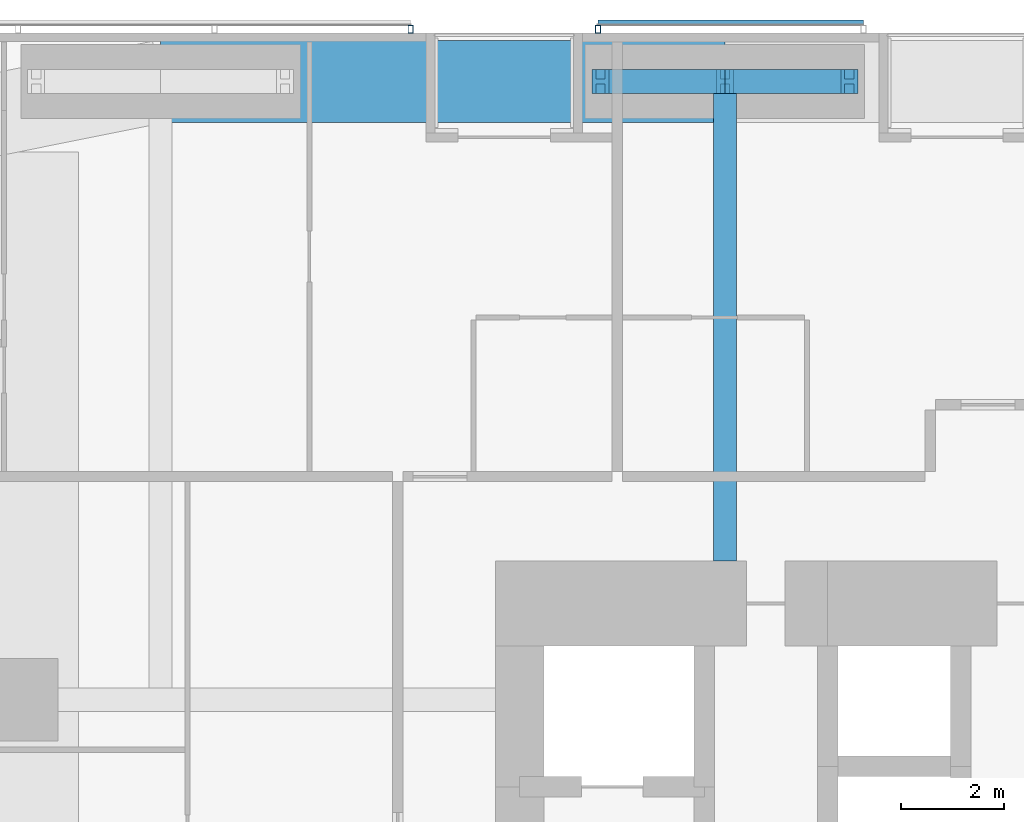
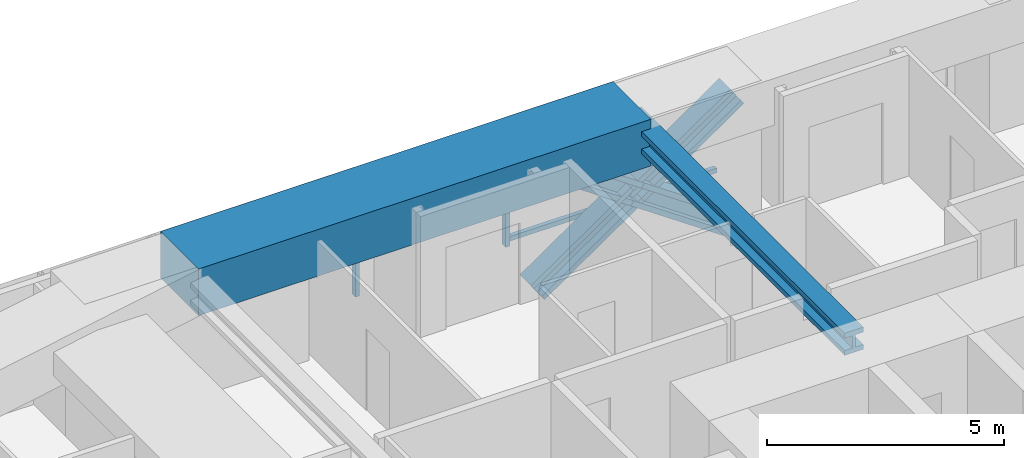
# One storey, part 13 of 24: 7 members, 2 beams, 2 elements without a shape of their own.
"""IFC4 building model written with IfcOpenShell, lengths in metres."""

from ifc_helpers import new_model, si_unit, direction, frame, origin, origin_2d, place, context, subcontext, project, spatial, rectangle, hollow_rectangle, i_section, extrude, material, material_profile, profile_set, type_object, element, aggregate, save


model = new_model("IFC4")

# Units and contexts
model_context = context("Model", 3, precision=1e-05, world=origin(), true_north=direction((0.0, 1.0)))
body_context = subcontext(model_context, "Body", "Model", "MODEL_VIEW")
ifc_project = project(units=[si_unit("LENGTHUNIT", "METRE"), si_unit("AREAUNIT", "SQUARE_METRE"), si_unit("VOLUMEUNIT", "CUBIC_METRE"), si_unit("PLANEANGLEUNIT", "RADIAN"), si_unit("MASSUNIT", "GRAM", prefix="KILO")], contexts=[model_context])

# Site, building, storey
site_placement = place(None, origin())
site = spatial("IfcSite", under=ifc_project, at=site_placement, CompositionType="ELEMENT")
building_placement = place(site_placement, origin())
building = spatial("IfcBuilding", under=site, at=building_placement, Name="Jalousie Tower", CompositionType="ELEMENT")
storey_placement = place(building_placement, frame((0.0, 0.0, 44.449951171875)))
storey = spatial("IfcBuildingStorey", under=building, at=storey_placement, Name="L11", CompositionType="ELEMENT", Elevation=44.449951171875)

# Beam
ifc_material_1 = material(Name="Steel ASTM A992 Grade 50", Category="steel")
ifc_material_profile_1 = material_profile(ifc_material_1, i_section(OverallWidth=0.45458984375, OverallDepth=0.569091796875, WebThickness=0.077880859375, FlangeThickness=0.124755859375, at=origin_2d()), Name="W14X730")
ifc_profile_set_1 = profile_set([ifc_material_profile_1], Name="Steel ASTM A992 Grade 50")
beam_type_1 = type_object("IfcBeamType", Name="LEAN COLLECTOR W14X730", PredefinedType="BEAM", material=ifc_profile_set_1)
beam_1_placement = place(storey_placement, frame((24.0, 37.050048828125, 2.825439453125), z_axis=(0.0, -1.0, 0.0), x_axis=(1.0, 0.0, 0.0)))
element("IfcBeam", 1, at=beam_1_placement, inside=storey, type_object=beam_type_1, Name="Lean collector under L12", PredefinedType="BEAM", context=body_context, shape_type="SweptSolid", body=[
    extrude(i_section(OverallWidth=0.45458984375, OverallDepth=0.569091796875, WebThickness=0.077880859375, FlangeThickness=0.124755859375, at=origin_2d()), origin(), (0.0, 0.0, 1.0), 9.35009765625),
])

# Members
ifc_material_2 = material(Name="Steel ASTM A992 Grade 50", Category="steel")
ifc_material_profile_2 = material_profile(ifc_material_2, i_section(OverallWidth=0.472412109375, OverallDepth=0.5791015625, WebThickness=0.094970703125, FlangeThickness=0.1298828125, at=origin_2d()), Name="W14X808")
ifc_profile_set_2 = profile_set([ifc_material_profile_2], Name="Steel ASTM A992 Grade 50")
member_type_1 = type_object("IfcMemberType", Name="PERIMETER BRACE W14X808", PredefinedType="BRACE", material=ifc_profile_set_2)
for number, where, z_axis, x_axis, name in (
    (2, (21.574951171875, 37.050048828125, -0.599853515625), (0.82283879777, 0.0, 0.568274856811), (0.0, 1.0, 0.0), "Perimeter brace 10 L11 part 1"),
    (3, (24.0, 37.050048828125, 1.074951171875), (0.822800062329, 0.0, 0.568330940062), (0.0, 1.0, 0.0), "Perimeter brace 10 L11 part 2"),
    (4, (26.425048828125, 37.050048828125, -0.599853515625), (-0.82283879777, 0.0, 0.568274856811), (0.0, -1.0, 0.0), "Perimeter brace 10 L11 part 3"),
    (5, (24.0, 37.050048828125, 1.074951171875), (-0.822800062329, 0.0, 0.568330940062), (0.0, -1.0, 0.0), "Perimeter brace 10 L11 part 4"),
):
    element("IfcMember", number, at=place(storey_placement, frame(where, z_axis=z_axis, x_axis=x_axis)), inside=storey, type_object=member_type_1, Name=name, PredefinedType="BRACE", context=body_context, shape_type="SweptSolid", body=[
        extrude(i_section(OverallWidth=0.472412109375, OverallDepth=0.5791015625, WebThickness=0.094970703125, FlangeThickness=0.1298828125, at=origin_2d()), origin(), (0.0, 0.0, 1.0), 2.947265625),
    ])

# Beam
ifc_material_3 = material(Name="Concrete f'c 40 MPa", Category="concrete")
ifc_material_profile_3 = material_profile(ifc_material_3, rectangle(XDim=1.60009765625, YDim=1.199951171875, at=origin_2d()), Name="RC 1600x1200")
ifc_profile_set_3 = profile_set([ifc_material_profile_3], Name="Concrete f'c 40 MPa")
beam_type_2 = type_object("IfcBeamType", Name="RC BEAM 1600x1200", PredefinedType="BEAM", material=ifc_profile_set_3)
beam_2_placement = place(storey_placement, frame((24.0, 37.050048828125, 2.75), z_axis=(-1.0, 0.0, 0.0), x_axis=(0.0, -1.0, 0.0)))
element("IfcBeam", 6, at=beam_2_placement, inside=storey, type_object=beam_type_2, Name="Edge band beam 10-11 under L12", PredefinedType="BEAM", context=body_context, shape_type="SweptSolid", body=[
    extrude(rectangle(XDim=1.60009765625, YDim=1.199951171875, at=origin_2d()), origin(), (0.0, 0.0, 1.0), 11.0),
])

# Curtain wall, member
ifc_material_4 = material(Name="Perforated aluminium sheet", Category="aluminium")
curtain_wall_type = type_object("IfcCurtainWallType", Name="SOLAR SCREEN SS-1", PredefinedType="USERDEFINED", material=ifc_material_4)
curtain_wall_1_placement = place(storey_placement, origin())
curtain_wall_1 = element("IfcCurtainWall", 7, at=curtain_wall_1_placement, inside=storey, type_object=curtain_wall_type, Name="Solar screen L11", ObjectType="SOLAR SCREEN SS-1", PredefinedType="USERDEFINED")
ifc_material_5 = material(Name="Steel ASTM A500 Grade C", Category="steel")
ifc_material_profile_4 = material_profile(ifc_material_5, hollow_rectangle(XDim=0.1015625, YDim=0.15234375, WallThickness=0.00634765625, at=origin_2d()), Name="HSS6X4X1/4")
ifc_profile_set_4 = profile_set([ifc_material_profile_4], Name="Steel ASTM A500 Grade C")
member_type_2 = type_object("IfcMemberType", Name="SOLAR SCREEN SS-1 MULLION", PredefinedType="MULLION", material=ifc_profile_set_4)
member_1_placement = place(storey_placement, frame((21.52490234375, 38.0712890625, -0.119873046875), z_axis=(0.0, 0.0, 1.0), x_axis=(-1.0, 0.0, 0.0)))
member_1 = element("IfcMember", 8, at=member_1_placement, type_object=member_type_2, Name="SS1 post 2", PredefinedType="MULLION", context=body_context, shape_type="SweptSolid", body=[
    extrude(hollow_rectangle(XDim=0.1015625, YDim=0.15234375, WallThickness=0.00634765625, at=origin_2d()), origin(), (0.0, 0.0, 1.0), 3.22998046875),
])

curtain_wall_2_placement = place(storey_placement, origin())
curtain_wall_2 = element("IfcCurtainWall", 9, at=curtain_wall_2_placement, inside=storey, type_object=curtain_wall_type, Name="Solar screen L11", ObjectType="SOLAR SCREEN SS-1", PredefinedType="USERDEFINED")
member_2_placement = place(storey_placement, frame((17.875, 38.0712890625, -0.119873046875), z_axis=(0.0, 0.0, 1.0), x_axis=(-1.0, 0.0, 0.0)))
member_2 = element("IfcMember", 10, at=member_2_placement, type_object=member_type_2, Name="SS1 post 1", PredefinedType="MULLION", context=body_context, shape_type="SweptSolid", body=[
    extrude(hollow_rectangle(XDim=0.1015625, YDim=0.15234375, WallThickness=0.00634765625, at=origin_2d()), origin(), (0.0, 0.0, 1.0), 3.22998046875),
])
aggregate(curtain_wall_2, [member_2])

# Member
ifc_material_6 = material(Name="Extruded aluminium screen rail", Category="aluminium")
ifc_material_profile_5 = material_profile(ifc_material_6, rectangle(XDim=0.1015625, YDim=0.1201171875, at=origin_2d()), Name="RAIL 102x120")
ifc_profile_set_5 = profile_set([ifc_material_profile_5], Name="Extruded aluminium screen rail")
member_type_3 = type_object("IfcMemberType", Name="SOLAR SCREEN SS-1 TRANSOM", PredefinedType="USERDEFINED", material=ifc_profile_set_5)
member_3_placement = place(storey_placement, frame((26.699951171875, 38.1982421875, -0.06005859375), z_axis=(-1.0, 0.0, 0.0), x_axis=(0.0, -1.0, 0.0)))
member_3 = element("IfcMember", 11, at=member_3_placement, type_object=member_type_3, Name="SS1 rail", ObjectType="TRANSOM", PredefinedType="USERDEFINED", context=body_context, shape_type="SweptSolid", body=[
    extrude(rectangle(XDim=0.1015625, YDim=0.1201171875, at=origin_2d()), origin(), (0.0, 0.0, 1.0), 5.175048828125),
])

aggregate(curtain_wall_1, [member_1, member_3])

save(model, "model.ifc")
